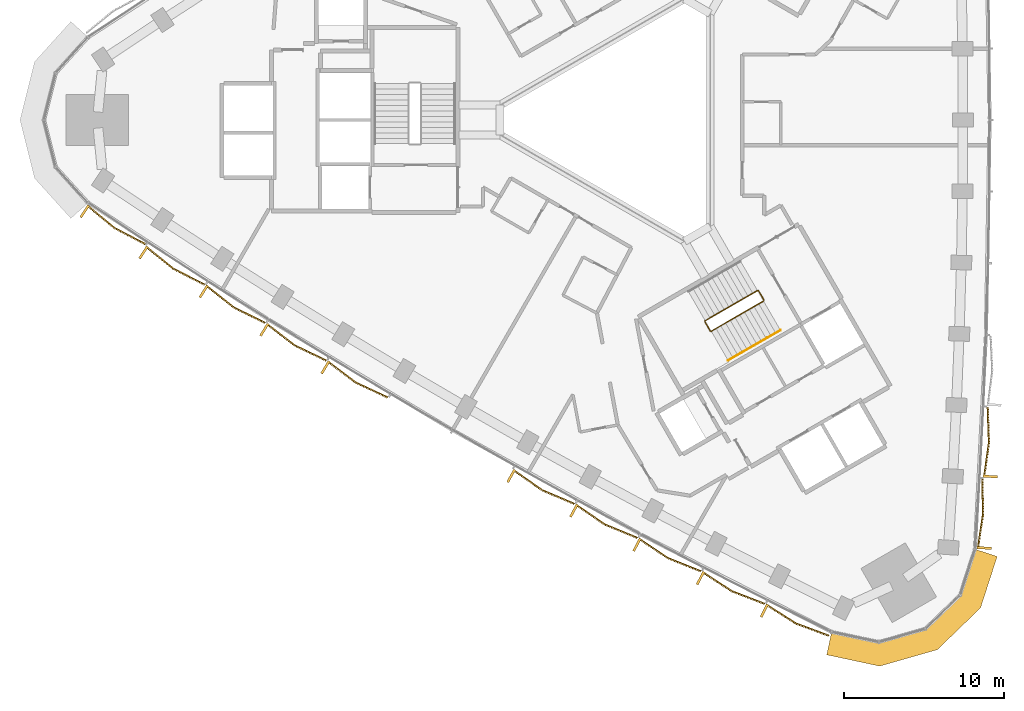
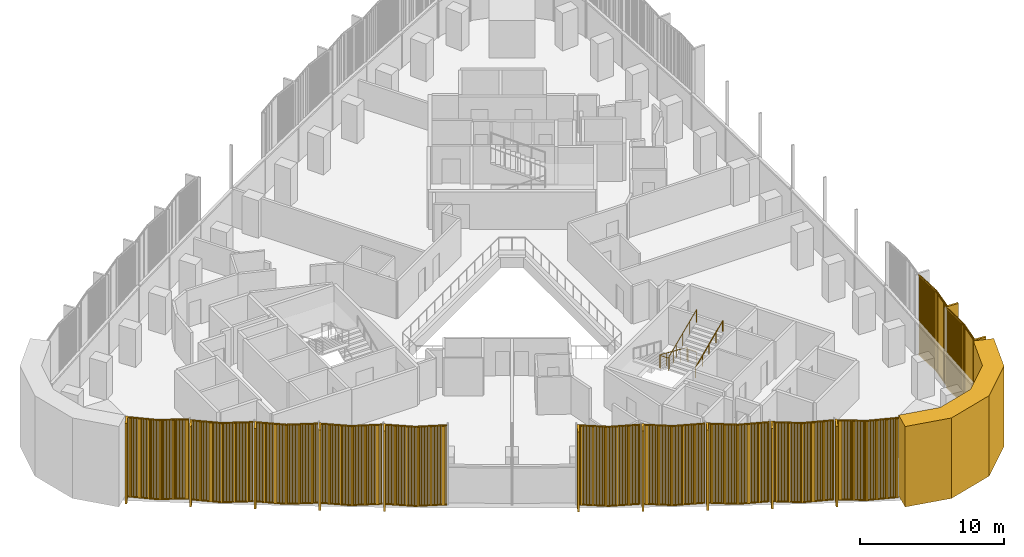
# One storey, part 12 of 15: 13 coverings, 2 railings.
"""IFC4 building model written with IfcOpenShell, lengths in metres."""

from ifc_helpers import new_model, si_unit, direction, frame, frame_2d, origin, origin_2d, place, context, subcontext, project, spatial, polyline, rectangle, circle, outline, extrude, source, transform, mapped, material, layer, layer_set, type_object, element, save


model = new_model("IFC4")

# Units and contexts
model_context = context("Model", 3, precision=1e-05, world=origin(), true_north=direction((0.0, 1.0)))
body_context = subcontext(model_context, "Body", "Model", "MODEL_VIEW")
ifc_project = project(units=[si_unit("LENGTHUNIT", "METRE"), si_unit("AREAUNIT", "SQUARE_METRE"), si_unit("VOLUMEUNIT", "CUBIC_METRE"), si_unit("PLANEANGLEUNIT", "RADIAN"), si_unit("MASSUNIT", "GRAM", prefix="KILO")], contexts=[model_context])

# Site, building, storey
site_placement = place(None, origin())
site = spatial("IfcSite", under=ifc_project, at=site_placement, CompositionType="ELEMENT")
building_placement = place(site_placement, origin())
building = spatial("IfcBuilding", under=site, at=building_placement, Name="Tamra Quay Hotel Tower", CompositionType="ELEMENT")
storey_placement = place(building_placement, frame((0.0, 0.0, 111.800048828125)))
storey = spatial("IfcBuildingStorey", under=building, at=storey_placement, Name="L27", CompositionType="ELEMENT", Elevation=111.800048828125)

# Covering
ifc_material_1 = material(Name="Precast concrete M60 terracotta-coloured", Category="masonry")
ifc_layer = layer(ifc_material_1, 1.449951171875)
ifc_layer_set = layer_set([ifc_layer], Name="CORNER PIER PANEL")
covering_type_1 = type_object("IfcCoveringType", Name="CORNER PIER PANEL", PredefinedType="CLADDING", material=ifc_layer_set)
covering_placement = place(storey_placement, origin())
element("IfcCovering", 1, at=covering_placement, inside=storey, type_object=covering_type_1, Name="Corner pier L27.south-west", PredefinedType="CLADDING", context=body_context, shape_type="SweptSolid", body=[
    extrude(outline(polyline([(12.46875, -31.928466796875), (12.16552734375, -33.34619140625), (15.469482421875, -34.052978515625), (19.066162109375, -33.0234375), (21.756103515625, -30.423583984375), (22.7958984375, -27.208740234375), (21.41650390625, -26.762451171875), (20.48779296875, -29.6328125), (18.31884765625, -31.729248046875), (15.418701171875, -32.559326171875), (12.46875, -31.928466796875)])), origin(), (0.0, 0.0, 1.0), 6.800048828125),
])

# Railings
ifc_material_2 = material(Name="Stair guard 1100")
railing_type_1 = type_object("IfcRailingType", Name="Stair guard 1100", PredefinedType="GUARDRAIL", material=ifc_material_2)
railing_1_placement = place(storey_placement, frame((8.245849609375, -11.221923828125, 0.0)))
element("IfcRailing", 2, at=railing_1_placement, inside=storey, type_object=railing_type_1, Name="GR", PredefinedType="GUARDRAIL", context=body_context, shape_type="SweptSolid", body=[
    extrude(circle(Radius=0.02392578125, at=origin_2d()), frame((0.0, 0.0, 1.076171875), z_axis=(-0.500043078269, 0.866000531106, 0.0), x_axis=(-0.866000531106, -0.500043078269, 0.0)), (0.0, 0.0, 1.0), 0.6591796875),
    extrude(circle(Radius=0.02392578125, at=origin_2d()), frame((-0.32958984375, 0.57080078125, 1.076171875), z_axis=(-0.41238007866, 0.110458949641, 0.904290601062), x_axis=(-0.258736085224, -0.965948051503, 0.0)), (0.0, 0.0, 1.0), 0.165771484375),
    extrude(circle(Radius=0.02392578125, at=origin_2d()), frame((-0.39794921875, 0.589111328125, 1.22607421875), z_axis=(-0.793081581205, -0.457901355053, 0.401681409319), x_axis=(0.500012686397, -0.866018079166, 0.0)), (0.0, 0.0, 1.0), 4.108154296875),
    extrude(circle(Radius=0.02392578125, at=origin_2d()), frame((-3.656005859375, -1.2919921875, 2.8759765625), z_axis=(-0.256368644879, -0.966579080015, 0.0), x_axis=(0.966579080015, -0.256368644879, 0.0)), (0.0, 0.0, 1.0), 0.070556640625),
    extrude(circle(Radius=0.02392578125, at=origin_2d()), frame((-3.674072265625, -1.360107421875, 2.8759765625), z_axis=(0.499765215335, -0.866160914346, 0.0), x_axis=(0.866160914346, 0.499765215335, 0.0)), (0.0, 0.0, 1.0), 0.658935546875),
    extrude(circle(Radius=0.02392578125, at=origin_2d()), frame((-3.3447265625, -1.930908203125, 2.8759765625), z_axis=(0.41238007866, -0.110458949641, 0.904290601062), x_axis=(0.258736085224, 0.965948051503, 0.0)), (0.0, 0.0, 1.0), 0.165771484375),
    extrude(circle(Radius=0.02392578125, at=origin_2d()), frame((-3.2763671875, -1.94921875, 3.02587890625), z_axis=(0.793100512587, 0.457912285461, 0.401631567183), x_axis=(-0.500012686397, 0.866018079166, 0.0)), (0.0, 0.0, 1.0), 4.10791015625),
    extrude(circle(Radius=0.02099609375, at=origin_2d()), origin(), (0.0, 0.0, 1.0), 1.052001953125),
    extrude(circle(Radius=0.02099609375, at=origin_2d()), frame((-0.32958984375, 0.57080078125, 0.0)), (0.0, 0.0, 1.0), 1.052001953125),
    extrude(circle(Radius=0.02099609375, at=origin_2d()), frame((-0.39794921875, 0.589111328125, 0.14990234375)), (0.0, 0.0, 1.0), 1.052001953125),
    extrude(circle(Radius=0.02099609375, at=origin_2d()), frame((-1.21240234375, 0.118896484375, 0.5625)), (0.0, 0.0, 1.0), 1.052001953125),
    extrude(circle(Radius=0.02099609375, at=origin_2d()), frame((-2.02685546875, -0.3515625, 0.97509765625)), (0.0, 0.0, 1.0), 1.052001953125),
    extrude(circle(Radius=0.02099609375, at=origin_2d()), frame((-2.841552734375, -0.82177734375, 1.387451171875)), (0.0, 0.0, 1.0), 1.052001953125),
    extrude(circle(Radius=0.02099609375, at=origin_2d()), frame((-3.656005859375, -1.2919921875, 1.800048828125)), (0.0, 0.0, 1.0), 1.052001953125),
    extrude(circle(Radius=0.02099609375, at=origin_2d()), frame((-3.674072265625, -1.360107421875, 1.800048828125)), (0.0, 0.0, 1.0), 1.052001953125),
    extrude(circle(Radius=0.02099609375, at=origin_2d()), frame((-3.3447265625, -1.930908203125, 1.800048828125)), (0.0, 0.0, 1.0), 1.052001953125),
    extrude(circle(Radius=0.02099609375, at=origin_2d()), frame((-3.2763671875, -1.94921875, 1.949951171875)), (0.0, 0.0, 1.0), 1.052001953125),
    extrude(circle(Radius=0.02099609375, at=origin_2d()), frame((-2.4619140625, -1.47900390625, 2.3623046875)), (0.0, 0.0, 1.0), 1.052001953125),
    extrude(circle(Radius=0.02099609375, at=origin_2d()), frame((-1.6474609375, -1.0087890625, 2.77490234375)), (0.0, 0.0, 1.0), 1.052001953125),
    extrude(circle(Radius=0.02099609375, at=origin_2d()), frame((-0.832763671875, -0.538330078125, 3.1875)), (0.0, 0.0, 1.0), 1.052001953125),
    extrude(circle(Radius=0.02099609375, at=origin_2d()), frame((-0.018310546875, -0.068115234375, 3.599853515625)), (0.0, 0.0, 1.0), 1.052001953125),
])
ifc_material_3 = material(Name="Stair handrail 900")
railing_type_2 = type_object("IfcRailingType", Name="Stair handrail 900", PredefinedType="HANDRAIL", material=ifc_material_3)
railing_2_placement = place(storey_placement, frame((6.01953125, -14.98974609375, 1.949951171875)))
element("IfcRailing", 3, at=railing_2_placement, inside=storey, type_object=railing_type_2, Name="HR", PredefinedType="HANDRAIL", context=body_context, shape_type="SweptSolid", body=[
    extrude(circle(Radius=0.02392578125, at=origin_2d()), frame((0.0, 0.0, 0.8759765625), z_axis=(0.79310004713, 0.457886897714, 0.401661429744), x_axis=(-0.499992114976, 0.866029956157, 0.0)), (0.0, 0.0, 1.0), 4.107666015625),
    extrude(circle(Radius=0.02099609375, at=origin_2d()), origin(), (0.0, 0.0, 1.0), 0.851806640625),
    extrude(circle(Radius=0.02099609375, at=origin_2d()), frame((0.814453125, 0.47021484375, 0.41259765625)), (0.0, 0.0, 1.0), 0.851806640625),
    extrude(circle(Radius=0.02099609375, at=origin_2d()), frame((1.62890625, 0.9404296875, 0.824951171875)), (0.0, 0.0, 1.0), 0.851806640625),
    extrude(circle(Radius=0.02099609375, at=origin_2d()), frame((2.443359375, 1.41064453125, 1.2373046875)), (0.0, 0.0, 1.0), 0.851806640625),
    extrude(circle(Radius=0.02099609375, at=origin_2d()), frame((3.2578125, 1.880859375, 1.64990234375)), (0.0, 0.0, 1.0), 0.851806640625),
])

# Coverings
ifc_material_4 = material(Name="Terracotta baguette extruded", Category="masonry")
covering_type_2 = type_object("IfcCoveringType", Name="BAGUETTE SCREEN E-V H6800", PredefinedType="USERDEFINED", material=ifc_material_4)
shared_shape_1 = source(origin(), body_context, "Body", "SweptSolid", [
    extrude(rectangle(XDim=2.200927734375, YDim=0.06005859375, at=frame_2d((1.1005859375, 0.030029296875))), frame((-2.19775390625, -0.057861328125, -0.1201171875), z_axis=(0.0, 0.0, 1.0), x_axis=(0.996194698092, -0.087155742748, 0.0)), (0.0, 0.0, 1.0), 0.1201171875),
    extrude(rectangle(XDim=2.200927734375, YDim=0.06005859375, at=frame_2d((1.1005859375, 0.030029296875))), frame((-2.19775390625, -0.057861328125, -6.800048828125), z_axis=(0.0, 0.0, 1.0), x_axis=(0.996194698092, -0.087155742748, 0.0)), (0.0, 0.0, 1.0), 0.1201171875),
    extrude(rectangle(XDim=0.070068359375, YDim=0.10009765625, at=frame_2d((0.03515625, 0.050048828125))), frame((-2.177734375, -0.13232421875, -6.739990234375)), (0.0, 0.0, 1.0), 6.679931640625),
    extrude(rectangle(XDim=0.070068359375, YDim=0.10009765625, at=frame_2d((0.03515625, 0.050048828125))), frame((-2.078125, -0.14111328125, -6.739990234375)), (0.0, 0.0, 1.0), 6.679931640625),
    extrude(rectangle(XDim=0.070068359375, YDim=0.10009765625, at=frame_2d((0.03515625, 0.050048828125))), frame((-1.978271484375, -0.14990234375, -6.739990234375)), (0.0, 0.0, 1.0), 6.679931640625),
    extrude(rectangle(XDim=0.070068359375, YDim=0.10009765625, at=frame_2d((0.03515625, 0.050048828125))), frame((-1.878662109375, -0.158447265625, -6.739990234375)), (0.0, 0.0, 1.0), 6.679931640625),
    extrude(rectangle(XDim=0.070068359375, YDim=0.10009765625, at=frame_2d((0.03515625, 0.050048828125))), frame((-1.779052734375, -0.167236328125, -6.739990234375)), (0.0, 0.0, 1.0), 6.679931640625),
    extrude(rectangle(XDim=0.070068359375, YDim=0.10009765625, at=frame_2d((0.03515625, 0.050048828125))), frame((-1.679443359375, -0.176025390625, -6.739990234375)), (0.0, 0.0, 1.0), 6.679931640625),
    extrude(rectangle(XDim=0.070068359375, YDim=0.10009765625, at=frame_2d((0.03515625, 0.050048828125))), frame((-1.579833984375, -0.1845703125, -6.739990234375)), (0.0, 0.0, 1.0), 6.679931640625),
    extrude(rectangle(XDim=0.070068359375, YDim=0.10009765625, at=frame_2d((0.03515625, 0.050048828125))), frame((-1.47998046875, -0.193359375, -6.739990234375)), (0.0, 0.0, 1.0), 6.679931640625),
    extrude(rectangle(XDim=0.070068359375, YDim=0.10009765625, at=frame_2d((0.03515625, 0.050048828125))), frame((-1.38037109375, -0.2021484375, -6.739990234375)), (0.0, 0.0, 1.0), 6.679931640625),
    extrude(rectangle(XDim=0.070068359375, YDim=0.10009765625, at=frame_2d((0.03515625, 0.050048828125))), frame((-1.28076171875, -0.2109375, -6.739990234375)), (0.0, 0.0, 1.0), 6.679931640625),
    extrude(rectangle(XDim=0.070068359375, YDim=0.10009765625, at=frame_2d((0.03515625, 0.050048828125))), frame((-1.18115234375, -0.219482421875, -6.739990234375)), (0.0, 0.0, 1.0), 6.679931640625),
    extrude(rectangle(XDim=0.070068359375, YDim=0.10009765625, at=frame_2d((0.03515625, 0.050048828125))), frame((-1.081298828125, -0.228271484375, -6.739990234375)), (0.0, 0.0, 1.0), 6.679931640625),
    extrude(rectangle(XDim=0.070068359375, YDim=0.10009765625, at=frame_2d((0.03515625, 0.050048828125))), frame((-0.981689453125, -0.237060546875, -6.739990234375)), (0.0, 0.0, 1.0), 6.679931640625),
    extrude(rectangle(XDim=0.070068359375, YDim=0.10009765625, at=frame_2d((0.03515625, 0.050048828125))), frame((-0.882080078125, -0.24560546875, -6.739990234375)), (0.0, 0.0, 1.0), 6.679931640625),
    extrude(rectangle(XDim=0.070068359375, YDim=0.10009765625, at=frame_2d((0.03515625, 0.050048828125))), frame((-0.782470703125, -0.25439453125, -6.739990234375)), (0.0, 0.0, 1.0), 6.679931640625),
    extrude(rectangle(XDim=0.070068359375, YDim=0.10009765625, at=frame_2d((0.03515625, 0.050048828125))), frame((-0.682861328125, -0.26318359375, -6.739990234375)), (0.0, 0.0, 1.0), 6.679931640625),
    extrude(rectangle(XDim=0.070068359375, YDim=0.10009765625, at=frame_2d((0.03515625, 0.050048828125))), frame((-0.583251953125, -0.27197265625, -6.739990234375)), (0.0, 0.0, 1.0), 6.679931640625),
    extrude(rectangle(XDim=0.070068359375, YDim=0.10009765625, at=frame_2d((0.03515625, 0.050048828125))), frame((-0.4833984375, -0.280517578125, -6.739990234375)), (0.0, 0.0, 1.0), 6.679931640625),
    extrude(rectangle(XDim=0.070068359375, YDim=0.10009765625, at=frame_2d((0.03515625, 0.050048828125))), frame((-0.3837890625, -0.289306640625, -6.739990234375)), (0.0, 0.0, 1.0), 6.679931640625),
    extrude(rectangle(XDim=0.070068359375, YDim=0.10009765625, at=frame_2d((0.03515625, 0.050048828125))), frame((-0.2841796875, -0.298095703125, -6.739990234375)), (0.0, 0.0, 1.0), 6.679931640625),
    extrude(rectangle(XDim=0.070068359375, YDim=0.10009765625, at=frame_2d((0.03515625, 0.050048828125))), frame((-0.1845703125, -0.306640625, -6.739990234375)), (0.0, 0.0, 1.0), 6.679931640625),
    extrude(rectangle(XDim=0.070068359375, YDim=0.10009765625, at=frame_2d((0.03515625, 0.050048828125))), frame((-0.084716796875, -0.3154296875, -6.739990234375)), (0.0, 0.0, 1.0), 6.679931640625),
    extrude(rectangle(XDim=2.200927734375, YDim=0.06005859375, at=frame_2d((1.1005859375, 0.030029296875))), frame((0.005126953125, -0.24951171875, -0.1201171875), z_axis=(0.0, 0.0, 1.0), x_axis=(0.996194698092, 0.087155742748, 0.0)), (0.0, 0.0, 1.0), 0.1201171875),
    extrude(rectangle(XDim=2.200927734375, YDim=0.06005859375, at=frame_2d((1.1005859375, 0.030029296875))), frame((0.005126953125, -0.24951171875, -6.800048828125), z_axis=(0.0, 0.0, 1.0), x_axis=(0.996194698092, 0.087155742748, 0.0)), (0.0, 0.0, 1.0), 0.1201171875),
    extrude(rectangle(XDim=0.070068359375, YDim=0.10009765625, at=frame_2d((0.03515625, 0.050048828125))), frame((0.014892578125, -0.3154296875, -6.739990234375)), (0.0, 0.0, 1.0), 6.679931640625),
    extrude(rectangle(XDim=0.070068359375, YDim=0.10009765625, at=frame_2d((0.03515625, 0.050048828125))), frame((0.114501953125, -0.306640625, -6.739990234375)), (0.0, 0.0, 1.0), 6.679931640625),
    extrude(rectangle(XDim=0.070068359375, YDim=0.10009765625, at=frame_2d((0.03515625, 0.050048828125))), frame((0.214111328125, -0.298095703125, -6.739990234375)), (0.0, 0.0, 1.0), 6.679931640625),
    extrude(rectangle(XDim=0.070068359375, YDim=0.10009765625, at=frame_2d((0.03515625, 0.050048828125))), frame((0.313720703125, -0.289306640625, -6.739990234375)), (0.0, 0.0, 1.0), 6.679931640625),
    extrude(rectangle(XDim=0.070068359375, YDim=0.10009765625, at=frame_2d((0.03515625, 0.050048828125))), frame((0.41357421875, -0.280517578125, -6.739990234375)), (0.0, 0.0, 1.0), 6.679931640625),
    extrude(rectangle(XDim=0.070068359375, YDim=0.10009765625, at=frame_2d((0.03515625, 0.050048828125))), frame((0.51318359375, -0.27197265625, -6.739990234375)), (0.0, 0.0, 1.0), 6.679931640625),
    extrude(rectangle(XDim=0.070068359375, YDim=0.10009765625, at=frame_2d((0.03515625, 0.050048828125))), frame((0.61279296875, -0.26318359375, -6.739990234375)), (0.0, 0.0, 1.0), 6.679931640625),
    extrude(rectangle(XDim=0.070068359375, YDim=0.10009765625, at=frame_2d((0.03515625, 0.050048828125))), frame((0.71240234375, -0.25439453125, -6.739990234375)), (0.0, 0.0, 1.0), 6.679931640625),
    extrude(rectangle(XDim=0.070068359375, YDim=0.10009765625, at=frame_2d((0.03515625, 0.050048828125))), frame((0.81201171875, -0.24560546875, -6.739990234375)), (0.0, 0.0, 1.0), 6.679931640625),
    extrude(rectangle(XDim=0.070068359375, YDim=0.10009765625, at=frame_2d((0.03515625, 0.050048828125))), frame((0.911865234375, -0.237060546875, -6.739990234375)), (0.0, 0.0, 1.0), 6.679931640625),
    extrude(rectangle(XDim=0.070068359375, YDim=0.10009765625, at=frame_2d((0.03515625, 0.050048828125))), frame((1.011474609375, -0.228271484375, -6.739990234375)), (0.0, 0.0, 1.0), 6.679931640625),
    extrude(rectangle(XDim=0.070068359375, YDim=0.10009765625, at=frame_2d((0.03515625, 0.050048828125))), frame((1.111083984375, -0.219482421875, -6.739990234375)), (0.0, 0.0, 1.0), 6.679931640625),
    extrude(rectangle(XDim=0.070068359375, YDim=0.10009765625, at=frame_2d((0.03515625, 0.050048828125))), frame((1.210693359375, -0.2109375, -6.739990234375)), (0.0, 0.0, 1.0), 6.679931640625),
    extrude(rectangle(XDim=0.070068359375, YDim=0.10009765625, at=frame_2d((0.03515625, 0.050048828125))), frame((1.310302734375, -0.2021484375, -6.739990234375)), (0.0, 0.0, 1.0), 6.679931640625),
    extrude(rectangle(XDim=0.070068359375, YDim=0.10009765625, at=frame_2d((0.03515625, 0.050048828125))), frame((1.41015625, -0.193359375, -6.739990234375)), (0.0, 0.0, 1.0), 6.679931640625),
    extrude(rectangle(XDim=0.070068359375, YDim=0.10009765625, at=frame_2d((0.03515625, 0.050048828125))), frame((1.509765625, -0.1845703125, -6.739990234375)), (0.0, 0.0, 1.0), 6.679931640625),
    extrude(rectangle(XDim=0.070068359375, YDim=0.10009765625, at=frame_2d((0.03515625, 0.050048828125))), frame((1.609375, -0.176025390625, -6.739990234375)), (0.0, 0.0, 1.0), 6.679931640625),
    extrude(rectangle(XDim=0.070068359375, YDim=0.10009765625, at=frame_2d((0.03515625, 0.050048828125))), frame((1.708984375, -0.167236328125, -6.739990234375)), (0.0, 0.0, 1.0), 6.679931640625),
    extrude(rectangle(XDim=0.070068359375, YDim=0.10009765625, at=frame_2d((0.03515625, 0.050048828125))), frame((1.80859375, -0.158447265625, -6.739990234375)), (0.0, 0.0, 1.0), 6.679931640625),
    extrude(rectangle(XDim=0.070068359375, YDim=0.10009765625, at=frame_2d((0.03515625, 0.050048828125))), frame((1.908447265625, -0.14990234375, -6.739990234375)), (0.0, 0.0, 1.0), 6.679931640625),
    extrude(rectangle(XDim=0.070068359375, YDim=0.10009765625, at=frame_2d((0.03515625, 0.050048828125))), frame((2.008056640625, -0.14111328125, -6.739990234375)), (0.0, 0.0, 1.0), 6.679931640625),
    extrude(rectangle(XDim=0.070068359375, YDim=0.10009765625, at=frame_2d((0.03515625, 0.050048828125))), frame((2.107666015625, -0.13232421875, -6.739990234375)), (0.0, 0.0, 1.0), 6.679931640625),
    extrude(rectangle(XDim=0.14990234375, YDim=0.902099609375, at=frame_2d((0.074951171875, 0.451171875))), frame((-2.1923828125, -0.89990234375, -6.800048828125)), (0.0, 0.0, 1.0), 6.800048828125),
])
for number, where, z_axis, x_axis, name in (
    (4, (21.6640625, -24.5419921875, 6.800048828125), (0.0, 0.0, 1.0), (0.062670105733, 0.998034296929, 0.0), "Baguette screen L27.E.f00"),
    (5, (22.0283203125, -20.090087890625, 6.800048828125), (0.0, 0.0, 1.0), (0.051320550821, 0.998682232276, 0.0), "Baguette screen L27.E.f01"),
):
    element("IfcCovering", number, at=place(storey_placement, frame(where, z_axis=z_axis, x_axis=x_axis)), inside=storey, type_object=covering_type_2, Name=name, ObjectType="BAGUETTE SCREEN", PredefinedType="USERDEFINED", context=body_context, shape_type="MappedRepresentation", body=[
        mapped(shared_shape_1, transform((0.0, 0.0, 0.0), scale=1.0)),
    ])
covering_type_3 = type_object("IfcCoveringType", Name="BAGUETTE SCREEN SW-V H6800", PredefinedType="USERDEFINED", material=ifc_material_4)
shared_shape_2 = source(origin(), body_context, "Body", "SweptSolid", [
    extrude(rectangle(XDim=2.20458984375, YDim=0.06005859375, at=frame_2d((1.102294921875, 0.030029296875))), frame((-2.19873046875, -0.0576171875, -0.1201171875), z_axis=(0.0, 0.0, 1.0), x_axis=(0.994521895368, -0.104528463268, 0.0)), (0.0, 0.0, 1.0), 0.1201171875),
    extrude(rectangle(XDim=2.20458984375, YDim=0.06005859375, at=frame_2d((1.102294921875, 0.030029296875))), frame((-2.19873046875, -0.0576171875, -6.800048828125), z_axis=(0.0, 0.0, 1.0), x_axis=(0.994521895368, -0.104528463268, 0.0)), (0.0, 0.0, 1.0), 0.1201171875),
    extrude(rectangle(XDim=0.070068359375, YDim=0.10009765625, at=frame_2d((0.03515625, 0.050048828125))), frame((-2.177734375, -0.13330078125, -6.739990234375)), (0.0, 0.0, 1.0), 6.679931640625),
    extrude(rectangle(XDim=0.070068359375, YDim=0.10009765625, at=frame_2d((0.03515625, 0.050048828125))), frame((-2.078125, -0.143798828125, -6.739990234375)), (0.0, 0.0, 1.0), 6.679931640625),
    extrude(rectangle(XDim=0.070068359375, YDim=0.10009765625, at=frame_2d((0.03515625, 0.050048828125))), frame((-1.978271484375, -0.154296875, -6.739990234375)), (0.0, 0.0, 1.0), 6.679931640625),
    extrude(rectangle(XDim=0.070068359375, YDim=0.10009765625, at=frame_2d((0.03515625, 0.050048828125))), frame((-1.878662109375, -0.16455078125, -6.739990234375)), (0.0, 0.0, 1.0), 6.679931640625),
    extrude(rectangle(XDim=0.070068359375, YDim=0.10009765625, at=frame_2d((0.03515625, 0.050048828125))), frame((-1.779052734375, -0.175048828125, -6.739990234375)), (0.0, 0.0, 1.0), 6.679931640625),
    extrude(rectangle(XDim=0.070068359375, YDim=0.10009765625, at=frame_2d((0.03515625, 0.050048828125))), frame((-1.679443359375, -0.185546875, -6.739990234375)), (0.0, 0.0, 1.0), 6.679931640625),
    extrude(rectangle(XDim=0.070068359375, YDim=0.10009765625, at=frame_2d((0.03515625, 0.050048828125))), frame((-1.579833984375, -0.196044921875, -6.739990234375)), (0.0, 0.0, 1.0), 6.679931640625),
    extrude(rectangle(XDim=0.070068359375, YDim=0.10009765625, at=frame_2d((0.03515625, 0.050048828125))), frame((-1.47998046875, -0.20654296875, -6.739990234375)), (0.0, 0.0, 1.0), 6.679931640625),
    extrude(rectangle(XDim=0.070068359375, YDim=0.10009765625, at=frame_2d((0.03515625, 0.050048828125))), frame((-1.38037109375, -0.217041015625, -6.739990234375)), (0.0, 0.0, 1.0), 6.679931640625),
    extrude(rectangle(XDim=0.070068359375, YDim=0.10009765625, at=frame_2d((0.03515625, 0.050048828125))), frame((-1.28076171875, -0.2275390625, -6.739990234375)), (0.0, 0.0, 1.0), 6.679931640625),
    extrude(rectangle(XDim=0.070068359375, YDim=0.10009765625, at=frame_2d((0.03515625, 0.050048828125))), frame((-1.18115234375, -0.238037109375, -6.739990234375)), (0.0, 0.0, 1.0), 6.679931640625),
    extrude(rectangle(XDim=0.070068359375, YDim=0.10009765625, at=frame_2d((0.03515625, 0.050048828125))), frame((-1.081298828125, -0.24853515625, -6.739990234375)), (0.0, 0.0, 1.0), 6.679931640625),
    extrude(rectangle(XDim=0.070068359375, YDim=0.10009765625, at=frame_2d((0.03515625, 0.050048828125))), frame((-0.981689453125, -0.259033203125, -6.739990234375)), (0.0, 0.0, 1.0), 6.679931640625),
    extrude(rectangle(XDim=0.070068359375, YDim=0.10009765625, at=frame_2d((0.03515625, 0.050048828125))), frame((-0.882080078125, -0.26953125, -6.739990234375)), (0.0, 0.0, 1.0), 6.679931640625),
    extrude(rectangle(XDim=0.070068359375, YDim=0.10009765625, at=frame_2d((0.03515625, 0.050048828125))), frame((-0.782470703125, -0.27978515625, -6.739990234375)), (0.0, 0.0, 1.0), 6.679931640625),
    extrude(rectangle(XDim=0.070068359375, YDim=0.10009765625, at=frame_2d((0.03515625, 0.050048828125))), frame((-0.682861328125, -0.290283203125, -6.739990234375)), (0.0, 0.0, 1.0), 6.679931640625),
    extrude(rectangle(XDim=0.070068359375, YDim=0.10009765625, at=frame_2d((0.03515625, 0.050048828125))), frame((-0.583251953125, -0.30078125, -6.739990234375)), (0.0, 0.0, 1.0), 6.679931640625),
    extrude(rectangle(XDim=0.070068359375, YDim=0.10009765625, at=frame_2d((0.03515625, 0.050048828125))), frame((-0.4833984375, -0.311279296875, -6.739990234375)), (0.0, 0.0, 1.0), 6.679931640625),
    extrude(rectangle(XDim=0.070068359375, YDim=0.10009765625, at=frame_2d((0.03515625, 0.050048828125))), frame((-0.3837890625, -0.32177734375, -6.739990234375)), (0.0, 0.0, 1.0), 6.679931640625),
    extrude(rectangle(XDim=0.070068359375, YDim=0.10009765625, at=frame_2d((0.03515625, 0.050048828125))), frame((-0.2841796875, -0.332275390625, -6.739990234375)), (0.0, 0.0, 1.0), 6.679931640625),
    extrude(rectangle(XDim=0.070068359375, YDim=0.10009765625, at=frame_2d((0.03515625, 0.050048828125))), frame((-0.1845703125, -0.3427734375, -6.739990234375)), (0.0, 0.0, 1.0), 6.679931640625),
    extrude(rectangle(XDim=0.070068359375, YDim=0.10009765625, at=frame_2d((0.03515625, 0.050048828125))), frame((-0.084716796875, -0.353271484375, -6.739990234375)), (0.0, 0.0, 1.0), 6.679931640625),
    extrude(rectangle(XDim=2.20458984375, YDim=0.06005859375, at=frame_2d((1.102294921875, 0.030029296875))), frame((0.00634765625, -0.2880859375, -0.1201171875), z_axis=(0.0, 0.0, 1.0), x_axis=(0.994521895368, 0.104528463268, 0.0)), (0.0, 0.0, 1.0), 0.1201171875),
    extrude(rectangle(XDim=2.20458984375, YDim=0.06005859375, at=frame_2d((1.102294921875, 0.030029296875))), frame((0.00634765625, -0.2880859375, -6.800048828125), z_axis=(0.0, 0.0, 1.0), x_axis=(0.994521895368, 0.104528463268, 0.0)), (0.0, 0.0, 1.0), 0.1201171875),
    extrude(rectangle(XDim=0.070068359375, YDim=0.10009765625, at=frame_2d((0.03515625, 0.050048828125))), frame((0.014892578125, -0.353271484375, -6.739990234375)), (0.0, 0.0, 1.0), 6.679931640625),
    extrude(rectangle(XDim=0.070068359375, YDim=0.10009765625, at=frame_2d((0.03515625, 0.050048828125))), frame((0.114501953125, -0.3427734375, -6.739990234375)), (0.0, 0.0, 1.0), 6.679931640625),
    extrude(rectangle(XDim=0.070068359375, YDim=0.10009765625, at=frame_2d((0.03515625, 0.050048828125))), frame((0.214111328125, -0.332275390625, -6.739990234375)), (0.0, 0.0, 1.0), 6.679931640625),
    extrude(rectangle(XDim=0.070068359375, YDim=0.10009765625, at=frame_2d((0.03515625, 0.050048828125))), frame((0.313720703125, -0.32177734375, -6.739990234375)), (0.0, 0.0, 1.0), 6.679931640625),
    extrude(rectangle(XDim=0.070068359375, YDim=0.10009765625, at=frame_2d((0.03515625, 0.050048828125))), frame((0.41357421875, -0.311279296875, -6.739990234375)), (0.0, 0.0, 1.0), 6.679931640625),
    extrude(rectangle(XDim=0.070068359375, YDim=0.10009765625, at=frame_2d((0.03515625, 0.050048828125))), frame((0.51318359375, -0.30078125, -6.739990234375)), (0.0, 0.0, 1.0), 6.679931640625),
    extrude(rectangle(XDim=0.070068359375, YDim=0.10009765625, at=frame_2d((0.03515625, 0.050048828125))), frame((0.61279296875, -0.290283203125, -6.739990234375)), (0.0, 0.0, 1.0), 6.679931640625),
    extrude(rectangle(XDim=0.070068359375, YDim=0.10009765625, at=frame_2d((0.03515625, 0.050048828125))), frame((0.71240234375, -0.27978515625, -6.739990234375)), (0.0, 0.0, 1.0), 6.679931640625),
    extrude(rectangle(XDim=0.070068359375, YDim=0.10009765625, at=frame_2d((0.03515625, 0.050048828125))), frame((0.81201171875, -0.26953125, -6.739990234375)), (0.0, 0.0, 1.0), 6.679931640625),
    extrude(rectangle(XDim=0.070068359375, YDim=0.10009765625, at=frame_2d((0.03515625, 0.050048828125))), frame((0.911865234375, -0.259033203125, -6.739990234375)), (0.0, 0.0, 1.0), 6.679931640625),
    extrude(rectangle(XDim=0.070068359375, YDim=0.10009765625, at=frame_2d((0.03515625, 0.050048828125))), frame((1.011474609375, -0.24853515625, -6.739990234375)), (0.0, 0.0, 1.0), 6.679931640625),
    extrude(rectangle(XDim=0.070068359375, YDim=0.10009765625, at=frame_2d((0.03515625, 0.050048828125))), frame((1.111083984375, -0.238037109375, -6.739990234375)), (0.0, 0.0, 1.0), 6.679931640625),
    extrude(rectangle(XDim=0.070068359375, YDim=0.10009765625, at=frame_2d((0.03515625, 0.050048828125))), frame((1.210693359375, -0.2275390625, -6.739990234375)), (0.0, 0.0, 1.0), 6.679931640625),
    extrude(rectangle(XDim=0.070068359375, YDim=0.10009765625, at=frame_2d((0.03515625, 0.050048828125))), frame((1.310302734375, -0.217041015625, -6.739990234375)), (0.0, 0.0, 1.0), 6.679931640625),
    extrude(rectangle(XDim=0.070068359375, YDim=0.10009765625, at=frame_2d((0.03515625, 0.050048828125))), frame((1.41015625, -0.20654296875, -6.739990234375)), (0.0, 0.0, 1.0), 6.679931640625),
    extrude(rectangle(XDim=0.070068359375, YDim=0.10009765625, at=frame_2d((0.03515625, 0.050048828125))), frame((1.509765625, -0.196044921875, -6.739990234375)), (0.0, 0.0, 1.0), 6.679931640625),
    extrude(rectangle(XDim=0.070068359375, YDim=0.10009765625, at=frame_2d((0.03515625, 0.050048828125))), frame((1.609375, -0.185546875, -6.739990234375)), (0.0, 0.0, 1.0), 6.679931640625),
    extrude(rectangle(XDim=0.070068359375, YDim=0.10009765625, at=frame_2d((0.03515625, 0.050048828125))), frame((1.708984375, -0.175048828125, -6.739990234375)), (0.0, 0.0, 1.0), 6.679931640625),
    extrude(rectangle(XDim=0.070068359375, YDim=0.10009765625, at=frame_2d((0.03515625, 0.050048828125))), frame((1.80859375, -0.16455078125, -6.739990234375)), (0.0, 0.0, 1.0), 6.679931640625),
    extrude(rectangle(XDim=0.070068359375, YDim=0.10009765625, at=frame_2d((0.03515625, 0.050048828125))), frame((1.908447265625, -0.154296875, -6.739990234375)), (0.0, 0.0, 1.0), 6.679931640625),
    extrude(rectangle(XDim=0.070068359375, YDim=0.10009765625, at=frame_2d((0.03515625, 0.050048828125))), frame((2.008056640625, -0.143798828125, -6.739990234375)), (0.0, 0.0, 1.0), 6.679931640625),
    extrude(rectangle(XDim=0.070068359375, YDim=0.10009765625, at=frame_2d((0.03515625, 0.050048828125))), frame((2.107666015625, -0.13330078125, -6.739990234375)), (0.0, 0.0, 1.0), 6.679931640625),
    extrude(rectangle(XDim=0.14990234375, YDim=0.902099609375, at=frame_2d((0.074951171875, 0.451171875))), frame((-2.1923828125, -0.89990234375, -6.800048828125)), (0.0, 0.0, 1.0), 6.800048828125),
])
for number, where, z_axis, x_axis, name in (
    (6, (-32.0859375, -6.49072265625, 6.800048828125), (0.0, 0.0, 1.0), (0.832988002122, -0.553291052088, 0.0), "Baguette screen L27.SW.f00"),
    (7, (-28.41259765625, -9.0322265625, 6.800048828125), (0.0, 0.0, 1.0), (0.839223908048, -0.543786016885, 0.0), "Baguette screen L27.SW.f01"),
    (8, (-24.650634765625, -11.439453125, 6.800048828125), (0.0, 0.0, 1.0), (0.845362377055, -0.534193271635, 0.0), "Baguette screen L27.SW.f02"),
    (9, (-20.861328125, -13.803955078125, 6.800048828125), (0.0, 0.0, 1.0), (0.85139935569, -0.524518004582, 0.0), "Baguette screen L27.SW.f03"),
    (10, (-17.04541015625, -16.124755859375, 6.800048828125), (0.0, 0.0, 1.0), (0.857331324326, -0.514764995245, 0.0), "Baguette screen L27.SW.f04"),
    (11, (-5.44189453125, -22.82421875, 6.800048828125), (0.0, 0.0, 1.0), (0.874465225024, -0.485088208704, 0.0), "Baguette screen L27.SW.f07"),
    (12, (-1.52392578125, -24.96826171875, 6.800048828125), (0.0, 0.0, 1.0), (0.879945594555, -0.475074468502, 0.0), "Baguette screen L27.SW.f08"),
    (13, (2.41845703125, -27.06787109375, 6.800048828125), (0.0, 0.0, 1.0), (0.885306132294, -0.465008658116, 0.0), "Baguette screen L27.SW.f09"),
    (14, (6.38427734375, -29.1220703125, 6.800048828125), (0.0, 0.0, 1.0), (0.89054445887, -0.454896215391, 0.0), "Baguette screen L27.SW.f10"),
    (15, (10.373046875, -31.131103515625, 6.800048828125), (0.0, 0.0, 1.0), (0.895658107856, -0.444743244842, 0.0), "Baguette screen L27.SW.f11"),
):
    element("IfcCovering", number, at=place(storey_placement, frame(where, z_axis=z_axis, x_axis=x_axis)), inside=storey, type_object=covering_type_3, Name=name, ObjectType="BAGUETTE SCREEN", PredefinedType="USERDEFINED", context=body_context, shape_type="MappedRepresentation", body=[
        mapped(shared_shape_2, transform((0.0, 0.0, 0.0), scale=1.0)),
    ])

save(model, "model.ifc")
